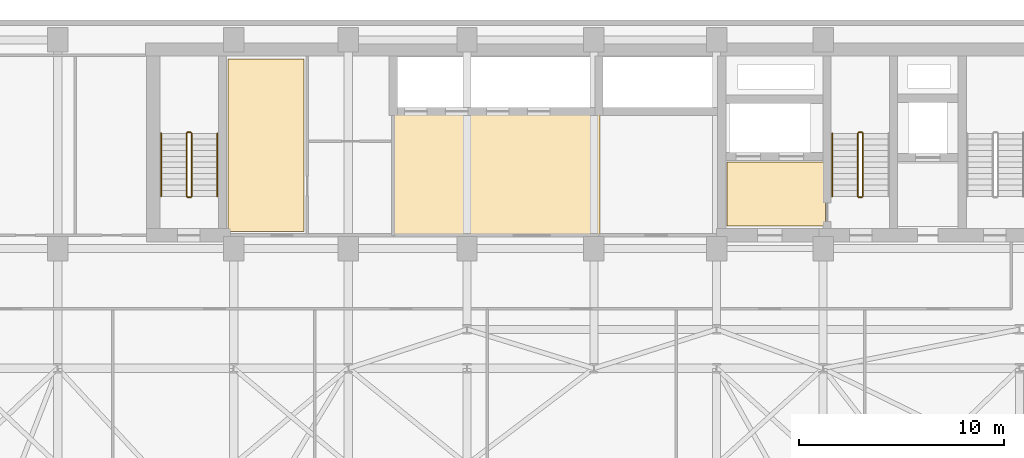
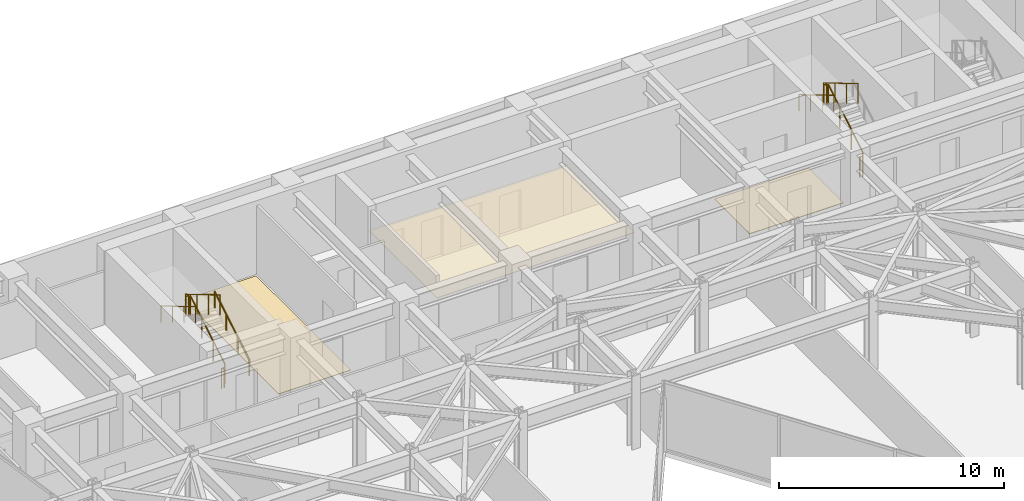
# One storey, part 25 of 26: 11 railings, 3 coverings.
"""IFC4 building model written with IfcOpenShell, lengths in metres."""

from ifc_helpers import new_model, si_unit, direction, frame, origin, origin_2d, place, context, subcontext, project, spatial, polyline, circle, outline, extrude, material, layer, layer_set, type_object, element, save


model = new_model("IFC4")

# Units and contexts
model_context = context("Model", 3, precision=1e-05, world=origin(), true_north=direction((0.0, 1.0)))
body_context = subcontext(model_context, "Body", "Model", "MODEL_VIEW")
ifc_project = project(units=[si_unit("LENGTHUNIT", "METRE"), si_unit("AREAUNIT", "SQUARE_METRE"), si_unit("VOLUMEUNIT", "CUBIC_METRE"), si_unit("PLANEANGLEUNIT", "RADIAN"), si_unit("MASSUNIT", "GRAM", prefix="KILO")], contexts=[model_context])

# Site, building, storey
site_placement = place(None, origin())
site = spatial("IfcSite", under=ifc_project, at=site_placement, CompositionType="ELEMENT")
building_placement = place(site_placement, origin())
building = spatial("IfcBuilding", under=site, at=building_placement, Name="Kravanh Interchange Tower", CompositionType="ELEMENT")
storey_placement = place(building_placement, frame((0.0, 0.0, 100.0)))
storey = spatial("IfcBuildingStorey", under=building, at=storey_placement, Name="L23", CompositionType="ELEMENT", Elevation=100.0)

# Coverings
ifc_material_1 = material(Name="Cementitious Terrazzo Tile")
ifc_layer_1 = layer(ifc_material_1, 0.030029296875)
ifc_layer_set_1 = layer_set([ifc_layer_1], Name="Honed Terrazzo Lobby Flooring 30mm")
covering_type_1 = type_object("IfcCoveringType", Name="Honed Terrazzo Lobby Flooring 30mm", PredefinedType="FLOORING", material=ifc_layer_set_1)
covering_1_placement = place(storey_placement, origin())
element("IfcCovering", 1, at=covering_1_placement, inside=storey, type_object=covering_type_1, Name="L23 Firefighting Lobby Floor Finish", PredefinedType="FLOORING", context=body_context, shape_type="SweptSolid", body=[
    extrude(outline(polyline([(56.1201171875, 38.4599609375), (51.300048828125, 38.4599609375), (51.300048828125, 41.580078125), (56.1201171875, 41.580078125), (56.1201171875, 38.4599609375)])), origin(), (0.0, 0.0, 1.0), 0.030029296875),
])
covering_2_placement = place(storey_placement, origin())
element("IfcCovering", 2, at=covering_2_placement, inside=storey, type_object=covering_type_1, Name="L23 Staff Break and Coffee Room Floor Finish", PredefinedType="FLOORING", context=body_context, shape_type="SweptSolid", body=[
    extrude(outline(polyline([(26.929931640625, 46.6201171875), (30.639892578125, 46.6201171875), (30.639892578125, 38.179931640625), (26.929931640625, 38.179931640625), (26.929931640625, 46.6201171875)])), origin(), (0.0, 0.0, 1.0), 0.030029296875),
])
ifc_material_2 = material(Name="Acoustic Mineral Fibre Tile on Aluminium Grid", Category="aluminium")
ifc_layer_2 = layer(ifc_material_2, 0.02490234375)
ifc_layer_set_2 = layer_set([ifc_layer_2], Name="Perforated Acoustic Mineral Ceiling 25mm")
covering_type_2 = type_object("IfcCoveringType", Name="Perforated Acoustic Mineral Ceiling 25mm", PredefinedType="CEILING", material=ifc_layer_set_2)
covering_3_placement = place(storey_placement, frame((0.0, 0.0, 2.550048828125)))
element("IfcCovering", 3, at=covering_3_placement, inside=storey, type_object=covering_type_2, Name="L23 Mid-Rise Lift Lobby Suspended Ceiling", PredefinedType="CEILING", context=body_context, shape_type="SweptSolid", body=[
    extrude(outline(polyline([(45.090087890625, 37.9599609375), (34.93994140625, 37.9599609375), (34.93994140625, 43.989990234375), (45.090087890625, 43.989990234375), (45.090087890625, 37.9599609375)])), origin(), (0.0, 0.0, 1.0), 0.02490234375),
])

# Railings
ifc_material_3 = material(Name="Structural Steel S355", Category="steel")
ifc_layer_3 = layer(ifc_material_3, 0.050048828125)
ifc_layer_set_3 = layer_set([ifc_layer_3], Name="Stair Well Guardrail Structural Steel S355 1100mm")
railing_type_1 = type_object("IfcRailingType", Name="Stair Well Guardrail Structural Steel S355 1100mm", PredefinedType="GUARDRAIL", material=ifc_layer_set_3)
railing_1_placement = place(storey_placement, frame((57.949951171875, 39.89990234375, 0.166748046875)))
element("IfcRailing", 4, at=railing_1_placement, inside=storey, type_object=railing_type_1, Name="L23 ST2 stair guard 1", PredefinedType="GUARDRAIL", context=body_context, shape_type="SweptSolid", body=[
    extrude(circle(Radius=0.02392578125, at=origin_2d()), frame((0.0, 0.0, 1.076171875), z_axis=(0.0, 0.859308565015, 0.511457515432), x_axis=(-1.0, 0.0, 0.0)), (0.0, 0.0, 1.0), 3.58447265625),
    extrude(circle(Radius=0.02099609375, at=origin_2d()), origin(), (0.0, 0.0, 1.0), 1.052001953125),
    extrude(circle(Radius=0.02099609375, at=origin_2d()), frame((0.0, 1.026611328125, 0.611083984375)), (0.0, 0.0, 1.0), 1.052001953125),
    extrude(circle(Radius=0.02099609375, at=origin_2d()), frame((0.0, 2.053466796875, 1.22216796875)), (0.0, 0.0, 1.0), 1.052001953125),
    extrude(circle(Radius=0.02099609375, at=origin_2d()), frame((0.0, 3.080078125, 1.833251953125)), (0.0, 0.0, 1.0), 1.052001953125),
])
railing_2_placement = place(storey_placement, frame((57.89990234375, 43.030029296875, 2.0)))
element("IfcRailing", 5, at=railing_2_placement, inside=storey, type_object=railing_type_1, Name="L23 ST2 stair guard 2", PredefinedType="GUARDRAIL", context=body_context, shape_type="SweptSolid", body=[
    extrude(circle(Radius=0.02392578125, at=origin_2d()), frame((0.0, 0.0, 1.076171875), z_axis=(-1.0, 0.0, 0.0), x_axis=(0.0, -1.0, 0.0)), (0.0, 0.0, 1.0), 0.14990234375),
    extrude(circle(Radius=0.02099609375, at=origin_2d()), origin(), (0.0, 0.0, 1.0), 1.052001953125),
    extrude(circle(Radius=0.02099609375, at=origin_2d()), frame((-0.14990234375, 0.0, 0.0)), (0.0, 0.0, 1.0), 1.052001953125),
])
railing_3_placement = place(storey_placement, frame((57.699951171875, 42.97998046875, 2.166748046875)))
element("IfcRailing", 6, at=railing_3_placement, inside=storey, type_object=railing_type_1, Name="L23 ST2 stair guard 3", PredefinedType="GUARDRAIL", context=body_context, shape_type="SweptSolid", body=[
    extrude(circle(Radius=0.02392578125, at=origin_2d()), frame((0.0, 0.0, 1.076171875), z_axis=(0.0, -0.859308565015, 0.511457515432), x_axis=(1.0, 0.0, 0.0)), (0.0, 0.0, 1.0), 3.58447265625),
    extrude(circle(Radius=0.02099609375, at=origin_2d()), origin(), (0.0, 0.0, 1.0), 1.052001953125),
    extrude(circle(Radius=0.02099609375, at=origin_2d()), frame((0.0, -1.026611328125, 0.611083984375)), (0.0, 0.0, 1.0), 1.052001953125),
    extrude(circle(Radius=0.02099609375, at=origin_2d()), frame((0.0, -2.053466796875, 1.22216796875)), (0.0, 0.0, 1.0), 1.052001953125),
    extrude(circle(Radius=0.02099609375, at=origin_2d()), frame((0.0, -3.080078125, 1.833251953125)), (0.0, 0.0, 1.0), 1.052001953125),
])
railing_4_placement = place(storey_placement, frame((57.89990234375, 39.85009765625, 0.0)))
element("IfcRailing", 7, at=railing_4_placement, inside=storey, type_object=railing_type_1, Name="L23 ST2 stair guard 4", PredefinedType="GUARDRAIL", context=body_context, shape_type="SweptSolid", body=[
    extrude(circle(Radius=0.02392578125, at=origin_2d()), frame((0.0, 0.0, 1.076171875), z_axis=(-1.0, 0.0, 0.0), x_axis=(0.0, -1.0, 0.0)), (0.0, 0.0, 1.0), 0.14990234375),
    extrude(circle(Radius=0.02099609375, at=origin_2d()), origin(), (0.0, 0.0, 1.0), 1.052001953125),
    extrude(circle(Radius=0.02099609375, at=origin_2d()), frame((-0.14990234375, 0.0, 0.0)), (0.0, 0.0, 1.0), 1.052001953125),
])
railing_5_placement = place(storey_placement, frame((25.14990234375, 39.89990234375, 0.166748046875)))
element("IfcRailing", 8, at=railing_5_placement, inside=storey, type_object=railing_type_1, Name="L23 ST3 stair guard 1", PredefinedType="GUARDRAIL", context=body_context, shape_type="SweptSolid", body=[
    extrude(circle(Radius=0.02392578125, at=origin_2d()), frame((0.0, 0.0, 1.076171875), z_axis=(0.0, 0.859308565015, 0.511457515432), x_axis=(-1.0, 0.0, 0.0)), (0.0, 0.0, 1.0), 3.58447265625),
    extrude(circle(Radius=0.02099609375, at=origin_2d()), origin(), (0.0, 0.0, 1.0), 1.052001953125),
    extrude(circle(Radius=0.02099609375, at=origin_2d()), frame((0.0, 1.026611328125, 0.611083984375)), (0.0, 0.0, 1.0), 1.052001953125),
    extrude(circle(Radius=0.02099609375, at=origin_2d()), frame((0.0, 2.053466796875, 1.22216796875)), (0.0, 0.0, 1.0), 1.052001953125),
    extrude(circle(Radius=0.02099609375, at=origin_2d()), frame((0.0, 3.080078125, 1.833251953125)), (0.0, 0.0, 1.0), 1.052001953125),
])
railing_6_placement = place(storey_placement, frame((25.10009765625, 43.030029296875, 2.0)))
element("IfcRailing", 9, at=railing_6_placement, inside=storey, type_object=railing_type_1, Name="L23 ST3 stair guard 2", PredefinedType="GUARDRAIL", context=body_context, shape_type="SweptSolid", body=[
    extrude(circle(Radius=0.02392578125, at=origin_2d()), frame((0.0, 0.0, 1.076171875), z_axis=(-1.0, 0.0, 0.0), x_axis=(0.0, -1.0, 0.0)), (0.0, 0.0, 1.0), 0.150146484375),
    extrude(circle(Radius=0.02099609375, at=origin_2d()), origin(), (0.0, 0.0, 1.0), 1.052001953125),
    extrude(circle(Radius=0.02099609375, at=origin_2d()), frame((-0.150146484375, 0.0, 0.0)), (0.0, 0.0, 1.0), 1.052001953125),
])
railing_7_placement = place(storey_placement, frame((24.89990234375, 42.97998046875, 2.166748046875)))
element("IfcRailing", 10, at=railing_7_placement, inside=storey, type_object=railing_type_1, Name="L23 ST3 stair guard 3", PredefinedType="GUARDRAIL", context=body_context, shape_type="SweptSolid", body=[
    extrude(circle(Radius=0.02392578125, at=origin_2d()), frame((0.0, 0.0, 1.076171875), z_axis=(0.0, -0.859308565015, 0.511457515432), x_axis=(1.0, 0.0, 0.0)), (0.0, 0.0, 1.0), 3.58447265625),
    extrude(circle(Radius=0.02099609375, at=origin_2d()), origin(), (0.0, 0.0, 1.0), 1.052001953125),
    extrude(circle(Radius=0.02099609375, at=origin_2d()), frame((0.0, -1.026611328125, 0.611083984375)), (0.0, 0.0, 1.0), 1.052001953125),
    extrude(circle(Radius=0.02099609375, at=origin_2d()), frame((0.0, -2.053466796875, 1.22216796875)), (0.0, 0.0, 1.0), 1.052001953125),
    extrude(circle(Radius=0.02099609375, at=origin_2d()), frame((0.0, -3.080078125, 1.833251953125)), (0.0, 0.0, 1.0), 1.052001953125),
])
railing_8_placement = place(storey_placement, frame((25.10009765625, 39.85009765625, 0.0)))
element("IfcRailing", 11, at=railing_8_placement, inside=storey, type_object=railing_type_1, Name="L23 ST3 stair guard 4", PredefinedType="GUARDRAIL", context=body_context, shape_type="SweptSolid", body=[
    extrude(circle(Radius=0.02392578125, at=origin_2d()), frame((0.0, 0.0, 1.076171875), z_axis=(-1.0, 0.0, 0.0), x_axis=(0.0, -1.0, 0.0)), (0.0, 0.0, 1.0), 0.150146484375),
    extrude(circle(Radius=0.02099609375, at=origin_2d()), origin(), (0.0, 0.0, 1.0), 1.052001953125),
    extrude(circle(Radius=0.02099609375, at=origin_2d()), frame((-0.150146484375, 0.0, 0.0)), (0.0, 0.0, 1.0), 1.052001953125),
])
ifc_material_4 = material(Name="Stainless Steel 304", Category="steel")
ifc_layer_4 = layer(ifc_material_4, 0.044921875)
ifc_layer_set_4 = layer_set([ifc_layer_4], Name="Tubular Stair Handrail Stainless 304 900mm")
railing_type_2 = type_object("IfcRailingType", Name="Tubular Stair Handrail Stainless 304 900mm", PredefinedType="HANDRAIL", material=ifc_layer_set_4)
railing_9_placement = place(storey_placement, frame((56.449951171875, 42.97998046875, 2.166748046875)))
element("IfcRailing", 12, at=railing_9_placement, inside=storey, type_object=railing_type_2, Name="L23 ST2 stair handrail 2", PredefinedType="HANDRAIL", context=body_context, shape_type="SweptSolid", body=[
    extrude(circle(Radius=0.02392578125, at=origin_2d()), frame((0.0, 0.0, 0.8759765625), z_axis=(0.0, -0.859308565015, 0.511457515432), x_axis=(1.0, 0.0, 0.0)), (0.0, 0.0, 1.0), 3.58447265625),
    extrude(circle(Radius=0.02099609375, at=origin_2d()), origin(), (0.0, 0.0, 1.0), 0.851806640625),
    extrude(circle(Radius=0.02099609375, at=origin_2d()), frame((0.0, -1.026611328125, 0.611083984375)), (0.0, 0.0, 1.0), 0.851806640625),
    extrude(circle(Radius=0.02099609375, at=origin_2d()), frame((0.0, -2.053466796875, 1.22216796875)), (0.0, 0.0, 1.0), 0.851806640625),
    extrude(circle(Radius=0.02099609375, at=origin_2d()), frame((0.0, -3.080078125, 1.833251953125)), (0.0, 0.0, 1.0), 0.851806640625),
])
railing_10_placement = place(storey_placement, frame((26.39990234375, 39.89990234375, 0.166748046875)))
element("IfcRailing", 13, at=railing_10_placement, inside=storey, type_object=railing_type_2, Name="L23 ST3 stair handrail 1", PredefinedType="HANDRAIL", context=body_context, shape_type="SweptSolid", body=[
    extrude(circle(Radius=0.02392578125, at=origin_2d()), frame((0.0, 0.0, 0.8759765625), z_axis=(0.0, 0.859308565015, 0.511457515432), x_axis=(-1.0, 0.0, 0.0)), (0.0, 0.0, 1.0), 3.58447265625),
    extrude(circle(Radius=0.02099609375, at=origin_2d()), origin(), (0.0, 0.0, 1.0), 0.851806640625),
    extrude(circle(Radius=0.02099609375, at=origin_2d()), frame((0.0, 1.026611328125, 0.611083984375)), (0.0, 0.0, 1.0), 0.851806640625),
    extrude(circle(Radius=0.02099609375, at=origin_2d()), frame((0.0, 2.053466796875, 1.22216796875)), (0.0, 0.0, 1.0), 0.851806640625),
    extrude(circle(Radius=0.02099609375, at=origin_2d()), frame((0.0, 3.080078125, 1.833251953125)), (0.0, 0.0, 1.0), 0.851806640625),
])
railing_11_placement = place(storey_placement, frame((23.64990234375, 42.97998046875, 2.166748046875)))
element("IfcRailing", 14, at=railing_11_placement, inside=storey, type_object=railing_type_2, Name="L23 ST3 stair handrail 2", PredefinedType="HANDRAIL", context=body_context, shape_type="SweptSolid", body=[
    extrude(circle(Radius=0.02392578125, at=origin_2d()), frame((0.0, 0.0, 0.8759765625), z_axis=(0.0, -0.859308565015, 0.511457515432), x_axis=(1.0, 0.0, 0.0)), (0.0, 0.0, 1.0), 3.58447265625),
    extrude(circle(Radius=0.02099609375, at=origin_2d()), origin(), (0.0, 0.0, 1.0), 0.851806640625),
    extrude(circle(Radius=0.02099609375, at=origin_2d()), frame((0.0, -1.026611328125, 0.611083984375)), (0.0, 0.0, 1.0), 0.851806640625),
    extrude(circle(Radius=0.02099609375, at=origin_2d()), frame((0.0, -2.053466796875, 1.22216796875)), (0.0, 0.0, 1.0), 0.851806640625),
    extrude(circle(Radius=0.02099609375, at=origin_2d()), frame((0.0, -3.080078125, 1.833251953125)), (0.0, 0.0, 1.0), 0.851806640625),
])

save(model, "model.ifc")
